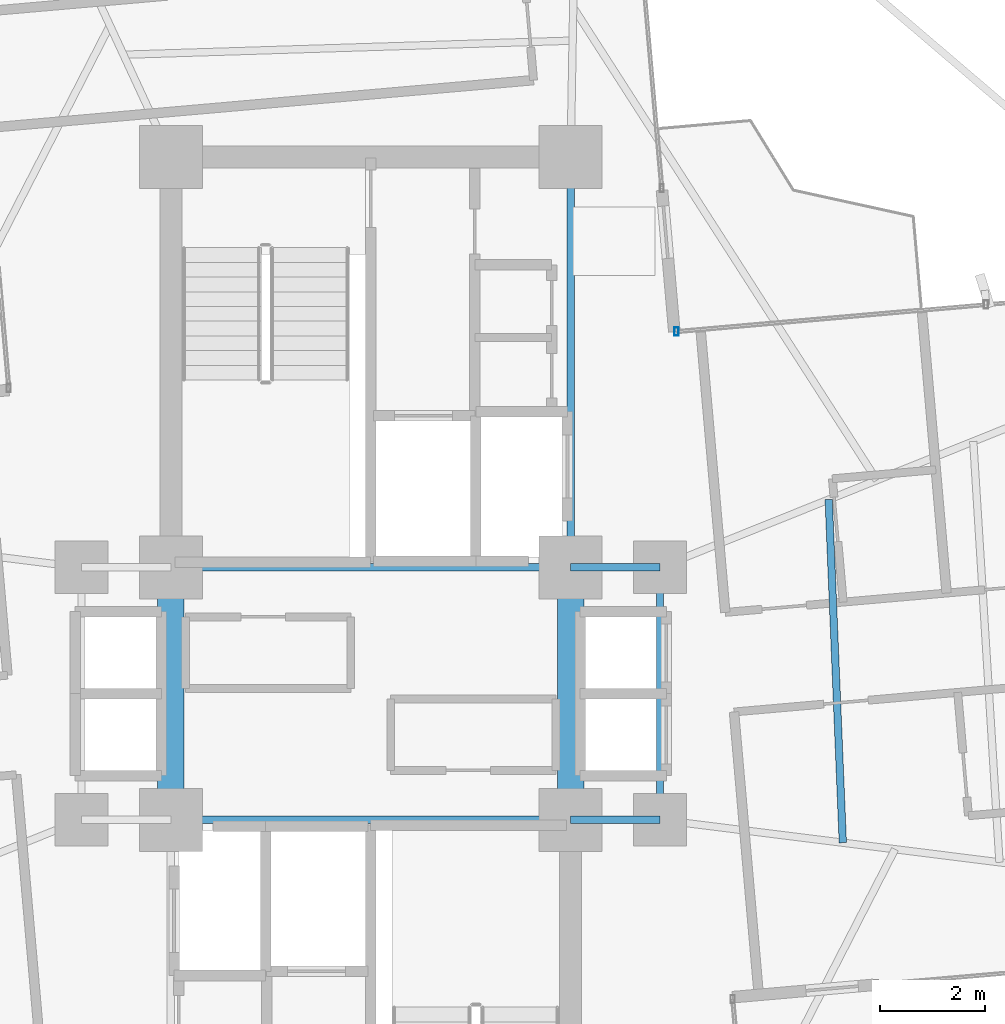
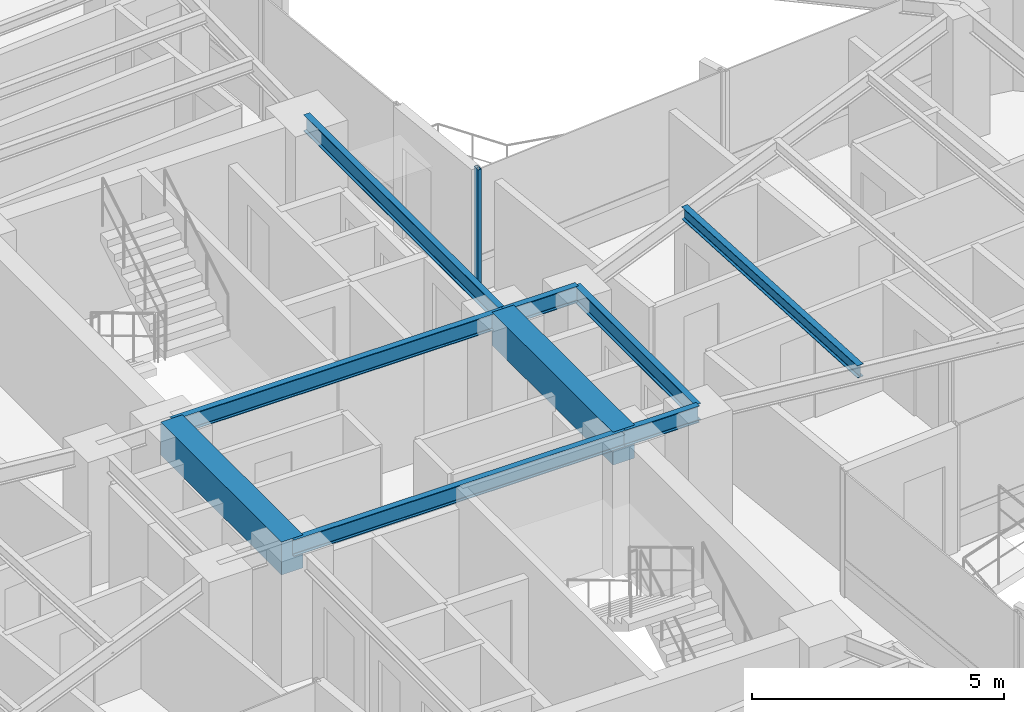
# One storey, part 11 of 24: 9 beams, 1 member, 1 element without a shape of its own.
"""IFC4 building model written with IfcOpenShell, lengths in metres."""

import ifcopenshell
import ifcopenshell.guid

model = None  # the IFC model being written
_history = None  # IfcOwnerHistory: only IFC2X3 demands one
_inside = {}  # id of a spatial element -> (the spatial element, [elements in it])
_under = {}  # id of a project, library or spatial element -> (it, [spatial elements below it])
_declared = {}  # id of a project -> (the project, [libraries it declares])
_typed = {}  # id of a type object -> (the type object, [elements of that type])
_made_of = {}  # id of a material, layer set ... -> (it, [elements and type objects made of it])


def new_model(schema):
    """Start an empty IFC model of exactly this schema.

    Asked for "IFC4X3", IfcOpenShell would pick the latest addendum, in which some entities
    have other attributes; the version numbers below select the first issue.
    IFC2X3 requires an IfcOwnerHistory on every rooted entity: one is made here for all.
    """
    global model, _history
    if schema == "IFC4X3":
        model = ifcopenshell.file(schema_version=(4, 3, 0, 0))
    else:
        model = ifcopenshell.file(schema=schema)
    _inside.clear()
    _under.clear()
    _declared.clear()
    _typed.clear()
    _made_of.clear()
    _history = None
    if model.schema == "IFC2X3":
        org = make("IfcOrganization", Name="unknown")
        user = make(
            "IfcPersonAndOrganization",
            ThePerson=make("IfcPerson", FamilyName="unknown"),
            TheOrganization=org,
        )
        app = make(
            "IfcApplication",
            ApplicationDeveloper=org,
            Version="unknown",
            ApplicationFullName="unknown",
            ApplicationIdentifier="unknown",
        )
        _history = make(
            "IfcOwnerHistory",
            OwningUser=user,
            OwningApplication=app,
            ChangeAction="ADDED",
            CreationDate=0,
        )
    return model


def make(cls, **values):
    """One entity of the class cls with the attributes given. An attribute that is None is left unset."""
    return model.create_entity(
        cls, **{name: value for name, value in values.items() if value is not None}
    )


def rooted(cls, **values):
    """An entity with a GlobalId (a new one), such as an element, a storey or a relation."""
    return make(cls, GlobalId=ifcopenshell.guid.new(), OwnerHistory=_history, **values)


def si_unit(unit_type, name, prefix=None):
    """IfcSIUnit, for example si_unit("LENGTHUNIT", "METRE", prefix="MILLI")."""
    return make("IfcSIUnit", UnitType=unit_type, Prefix=prefix, Name=name)


def assignment(units):
    """IfcUnitAssignment: the units of a project."""
    return None if units is None else make("IfcUnitAssignment", Units=units)


def point(xyz):
    """IfcCartesianPoint."""
    return None if xyz is None else make("IfcCartesianPoint", Coordinates=xyz)


def direction(xyz):
    """IfcDirection."""
    return None if xyz is None else make("IfcDirection", DirectionRatios=xyz)


def frame(location, z_axis=None, x_axis=None):
    """IfcAxis2Placement3D, a coordinate frame: its origin and axes. An axis left out is left unset."""
    return make(
        "IfcAxis2Placement3D",
        Location=point(location),
        Axis=direction(z_axis),
        RefDirection=direction(x_axis),
    )


def frame_2d(location, x_axis=None):
    """IfcAxis2Placement2D, a coordinate frame in the plane: its origin and x axis."""
    return make(
        "IfcAxis2Placement2D", Location=point(location), RefDirection=direction(x_axis)
    )


def origin():
    """The frame at (0, 0, 0) with its axes left unset."""
    return frame((0.0, 0.0, 0.0))


def origin_2d():
    """The frame at (0, 0) in the plane with its x axis left unset."""
    return frame_2d((0.0, 0.0))


def place(relative_to, where):
    """IfcLocalPlacement: puts the frame where relative to a parent placement (None: the world)."""
    return make(
        "IfcLocalPlacement", PlacementRelTo=relative_to, RelativePlacement=where
    )


def context(
    kind, dimensions, precision=None, world=None, true_north=None, identifier=None
):
    """IfcGeometricRepresentationContext, for example the 3D "Model" context."""
    return make(
        "IfcGeometricRepresentationContext",
        ContextIdentifier=identifier,
        ContextType=kind,
        CoordinateSpaceDimension=dimensions,
        Precision=precision,
        WorldCoordinateSystem=world,
        TrueNorth=true_north,
    )


def subcontext(parent, identifier, kind, view, scale=None):
    """IfcGeometricRepresentationSubContext, for example "Body" below "Model"."""
    return make(
        "IfcGeometricRepresentationSubContext",
        ContextIdentifier=identifier,
        ContextType=kind,
        ParentContext=parent,
        TargetScale=scale,
        TargetView=view,
    )


def project(units=None, contexts=None):
    """IfcProject with its units and contexts."""
    return rooted(
        "IfcProject",
        Name="project",
        RepresentationContexts=contexts,
        UnitsInContext=assignment(units),
    )


def spatial(cls, under=None, at=None, **own):
    """A site, building, storey or space (cls), placed at a placement, below another one or the project."""
    s = rooted(cls, ObjectPlacement=at, **own)
    if under is not None:
        _under.setdefault(under.id(), (under, []))[1].append(s)
    return s


def profile(cls, at=None, kind="AREA", **sizes):
    """A parametric profile (cls). Its sizes go by their IFC names, for example OverallWidth=200.0."""
    return make(cls, ProfileType=kind, Position=at, **sizes)


def rectangle(**sizes):
    """IfcRectangleProfileDef."""
    return profile("IfcRectangleProfileDef", **sizes)


def hollow_rectangle(**sizes):
    """IfcRectangleHollowProfileDef."""
    return profile("IfcRectangleHollowProfileDef", **sizes)


def i_section(**sizes):
    """IfcIShapeProfileDef."""
    return profile("IfcIShapeProfileDef", **sizes)


def extrude(swept, where, along, depth):
    """IfcExtrudedAreaSolid: the profile swept, set in the frame where, extruded along a direction by depth."""
    return make(
        "IfcExtrudedAreaSolid",
        SweptArea=swept,
        Position=where,
        ExtrudedDirection=direction(along),
        Depth=depth,
    )


def shape(context_of_items, identifier, shape_type, items):
    """IfcShapeRepresentation: the items that make up one representation, for example the "Body"."""
    return make(
        "IfcShapeRepresentation",
        ContextOfItems=context_of_items,
        RepresentationIdentifier=identifier,
        RepresentationType=shape_type,
        Items=items,
    )


def source(mapping_origin, context_of_items, identifier, shape_type, items):
    """IfcRepresentationMap: a shape defined once, which mapped items show again and again."""
    return make(
        "IfcRepresentationMap",
        MappingOrigin=mapping_origin,
        MappedRepresentation=shape(context_of_items, identifier, shape_type, items),
    )


def transform(
    local_origin,
    x_axis=None,
    y_axis=None,
    z_axis=None,
    scale=None,
    scale2=None,
    scale3=None,
    uniform=True,
):
    """IfcCartesianTransformationOperator3D, or its non-uniform kind. x_axis, y_axis, z_axis: its Axis1, 2, 3."""
    if uniform:
        return make(
            "IfcCartesianTransformationOperator3D",
            Axis1=direction(x_axis),
            Axis2=direction(y_axis),
            LocalOrigin=point(local_origin),
            Scale=scale,
            Axis3=direction(z_axis),
        )
    return make(
        "IfcCartesianTransformationOperator3DnonUniform",
        Axis1=direction(x_axis),
        Axis2=direction(y_axis),
        LocalOrigin=point(local_origin),
        Scale=scale,
        Axis3=direction(z_axis),
        Scale2=scale2,
        Scale3=scale3,
    )


def mapped(mapping_source, mapping_target):
    """IfcMappedItem: shows the shape of a source again, moved by a transform."""
    return make(
        "IfcMappedItem", MappingSource=mapping_source, MappingTarget=mapping_target
    )


def material(Name=None, Category=None):
    """IfcMaterial."""
    return make("IfcMaterial", Name=Name, Category=Category)


def material_profile(
    of_material, cross_section, Name=None, Category=None, Priority=None
):
    """IfcMaterialProfile: a cross section and its material."""
    return make(
        "IfcMaterialProfile",
        Name=Name,
        Material=of_material,
        Profile=cross_section,
        Priority=Priority,
        Category=Category,
    )


def profile_set(profiles, Name=None, composite=None):
    """IfcMaterialProfileSet."""
    return make(
        "IfcMaterialProfileSet",
        Name=Name,
        MaterialProfiles=profiles,
        CompositeProfile=composite,
    )


def made_of(thing, what):
    """Note that an element or type object is made of a material, layer set ...; save() writes the relation."""
    if what is not None:
        _made_of.setdefault(what.id(), (what, []))[1].append(thing)
    return thing


def type_object(cls, material=None, **own):
    """A type object (cls), such as IfcWallType, which elements share."""
    return made_of(rooted(cls, **own), material)


def element(
    cls,
    number,
    at=None,
    inside=None,
    cuts=None,
    type_object=None,
    material=None,
    context=None,
    identifier="Body",
    shape_type=None,
    held_by="IfcProductDefinitionShape",
    body=None,
    shapes=None,
    **own,
):
    """One element of the class cls, such as IfcWall. Its Tag is "e" and its number.

    at: its placement. inside: the storey or other place that contains it. cuts: it is an
    opening in that element (IfcRelVoidsElement). A single representation is given by context,
    identifier, shape_type and body (its items); several are given by shapes. held_by: the class
    of the entity that holds the representations. save() writes the other relations.
    """
    e = rooted(cls, Tag="e%d" % number, ObjectPlacement=at, **own)
    if body is not None:
        shapes = [shape(context, identifier, shape_type, body)]
    if shapes is not None:
        e.Representation = make(held_by, Representations=shapes)
    if inside is not None:
        _inside.setdefault(inside.id(), (inside, []))[1].append(e)
    if cuts is not None:
        rooted(
            "IfcRelVoidsElement", RelatingBuildingElement=cuts, RelatedOpeningElement=e
        )
    if type_object is not None:
        _typed.setdefault(type_object.id(), (type_object, []))[1].append(e)
    return made_of(e, material)


def aggregate(whole, parts):
    """IfcRelAggregates: a whole, such as a stair, and the parts it consists of."""
    return rooted("IfcRelAggregates", RelatingObject=whole, RelatedObjects=parts)


def save(model, path):
    """Write the relations noted so far, then the file.

    IfcRelAggregates (storeys below a building ...), IfcRelContainedInSpatialStructure (elements
    in a storey), IfcRelDefinesByType, IfcRelAssociatesMaterial and IfcRelDeclares: one each for
    every whole, place, type object, material and project.
    """
    for whole, parts in _under.values():
        aggregate(whole, parts)
    for where, things in _inside.values():
        rooted(
            "IfcRelContainedInSpatialStructure",
            RelatedElements=things,
            RelatingStructure=where,
        )
    for kind, things in _typed.values():
        rooted("IfcRelDefinesByType", RelatedObjects=things, RelatingType=kind)
    for what, things in _made_of.values():
        rooted("IfcRelAssociatesMaterial", RelatedObjects=things, RelatingMaterial=what)
    for by, libraries in _declared.values():
        rooted("IfcRelDeclares", RelatingContext=by, RelatedDefinitions=libraries)
    model.write(path)


model = new_model("IFC4")

# Units and contexts
model_context = context("Model", 3, precision=1e-05, world=origin(), true_north=direction((0.0, 1.0)))
body_context = subcontext(model_context, "Body", "Model", "MODEL_VIEW")
ifc_project = project(units=[si_unit("LENGTHUNIT", "METRE"), si_unit("AREAUNIT", "SQUARE_METRE"), si_unit("VOLUMEUNIT", "CUBIC_METRE"), si_unit("PLANEANGLEUNIT", "RADIAN"), si_unit("MASSUNIT", "GRAM", prefix="KILO")], contexts=[model_context])

# Site, building, storey
site_placement = place(None, origin())
site = spatial("IfcSite", under=ifc_project, at=site_placement, CompositionType="ELEMENT")
building_placement = place(site_placement, origin())
building = spatial("IfcBuilding", under=site, at=building_placement, Name="Sahyath Konkavel Grand Hotel", CompositionType="ELEMENT")
storey_placement = place(building_placement, frame((0.0, 0.0, 167.35009765625)))
storey = spatial("IfcBuildingStorey", under=building, at=storey_placement, Name="L46", CompositionType="ELEMENT", Elevation=167.35009765625)

# Beams
ifc_material_1 = material(Name="Steel E350", Category="steel")
ifc_material_profile_1 = material_profile(ifc_material_1, i_section(OverallWidth=0.139892578125, OverallDepth=0.39990234375, WebThickness=0.0087890625, FlangeThickness=0.01611328125, FilletRadius=0.013916015625, at=origin_2d()), Name="ISMB 400")
ifc_profile_set_1 = profile_set([ifc_material_profile_1], Name="Steel E350")
beam_type_1 = type_object("IfcBeamType", Name="BM-ISMB400", PredefinedType="BEAM", material=ifc_profile_set_1)
shared_shape_1 = source(origin(), body_context, "Body", "SweptSolid", [
    extrude(i_section(OverallWidth=0.139892578125, OverallDepth=0.39990234375, WebThickness=0.0087890625, FlangeThickness=0.01611328125, FilletRadius=0.013916015625, at=origin_2d()), origin(), (0.0, 0.0, 1.0), 7.60009765625),
])
for number, where, z_axis, x_axis, name in (
    (1, (-3.800048828125, 2.39990234375, 2.849853515625), (1.0, 0.0, 0.0), (0.0, 1.0, 0.0), "str:bm:L46:NC-S"),
    (2, (-3.800048828125, -2.39990234375, 2.849853515625), (1.0, 0.0, 0.0), (0.0, 1.0, 0.0), "str:bm:L46:SC-N"),
):
    element("IfcBeam", number, at=place(storey_placement, frame(where, z_axis=z_axis, x_axis=x_axis)), inside=storey, type_object=beam_type_1, Name=name, PredefinedType="BEAM", context=body_context, shape_type="MappedRepresentation", body=[
        mapped(shared_shape_1, transform((0.0, 0.0, 0.0), scale=1.0)),
    ])
shared_shape_2 = source(origin(), body_context, "Body", "SweptSolid", [
    extrude(i_section(OverallWidth=0.139892578125, OverallDepth=0.39990234375, WebThickness=0.0087890625, FlangeThickness=0.01611328125, FilletRadius=0.013916015625, at=origin_2d()), origin(), (0.0, 0.0, 1.0), 7.800048828125),
])
beam_1_placement = place(storey_placement, frame((3.800048828125, 2.39990234375, 2.849853515625), z_axis=(0.0, 1.0, 0.0), x_axis=(-1.0, 0.0, 0.0)))
element("IfcBeam", 3, at=beam_1_placement, inside=storey, type_object=beam_type_1, Name="str:bm:L46:NC-E", PredefinedType="BEAM", context=body_context, shape_type="MappedRepresentation", body=[
    mapped(shared_shape_2, transform((0.0, 0.0, 0.0), scale=1.0)),
])
shared_shape_3 = source(origin(), body_context, "Body", "SweptSolid", [
    extrude(i_section(OverallWidth=0.139892578125, OverallDepth=0.39990234375, WebThickness=0.0087890625, FlangeThickness=0.01611328125, FilletRadius=0.013916015625, at=origin_2d()), origin(), (0.0, 0.0, 1.0), 1.699951171875),
])
for number, where, z_axis, x_axis, name in (
    (4, (3.800048828125, 2.39990234375, 2.849853515625), (1.0, 0.0, 0.0), (0.0, 1.0, 0.0), "str:bm:L46:HB-NE"),
    (5, (3.800048828125, -2.39990234375, 2.849853515625), (1.0, 0.0, 0.0), (0.0, 1.0, 0.0), "str:bm:L46:HB-SE"),
):
    element("IfcBeam", number, at=place(storey_placement, frame(where, z_axis=z_axis, x_axis=x_axis)), inside=storey, type_object=beam_type_1, Name=name, PredefinedType="BEAM", context=body_context, shape_type="MappedRepresentation", body=[
        mapped(shared_shape_3, transform((0.0, 0.0, 0.0), scale=1.0)),
    ])
shared_shape_4 = source(origin(), body_context, "Body", "SweptSolid", [
    extrude(i_section(OverallWidth=0.139892578125, OverallDepth=0.39990234375, WebThickness=0.0087890625, FlangeThickness=0.01611328125, FilletRadius=0.013916015625, at=origin_2d()), origin(), (0.0, 0.0, 1.0), 4.7998046875),
])
beam_2_placement = place(storey_placement, frame((5.5, -2.39990234375, 2.849853515625), z_axis=(0.0, 1.0, 0.0), x_axis=(-1.0, 0.0, 0.0)))
element("IfcBeam", 6, at=beam_2_placement, inside=storey, type_object=beam_type_1, Name="str:bm:L46:HB-E", PredefinedType="BEAM", context=body_context, shape_type="MappedRepresentation", body=[
    mapped(shared_shape_4, transform((0.0, 0.0, 0.0), scale=1.0)),
])
ifc_material_2 = material(Name="Concrete C50/60", Category="concrete")
ifc_material_profile_2 = material_profile(ifc_material_2, rectangle(XDim=0.5, YDim=0.800048828125, at=origin_2d()), Name="RC 500x800")
ifc_profile_set_2 = profile_set([ifc_material_profile_2], Name="Concrete C50/60")
beam_type_2 = type_object("IfcBeamType", Name="BM-CB500x800", PredefinedType="LINTEL", material=ifc_profile_set_2)
shared_shape_5 = source(origin(), body_context, "Body", "SweptSolid", [
    extrude(rectangle(XDim=0.5, YDim=0.800048828125, at=origin_2d()), origin(), (0.0, 0.0, 1.0), 4.7998046875),
])
for number, where, z_axis, x_axis, name in (
    (7, (-3.800048828125, -2.39990234375, 2.64990234375), (0.0, 1.0, 0.0), (-1.0, 0.0, 0.0), "L46 Split-Core Coupling Beam West"),
    (8, (3.800048828125, -2.39990234375, 2.64990234375), (0.0, 1.0, 0.0), (-1.0, 0.0, 0.0), "L46 Split-Core Coupling Beam East"),
):
    element("IfcBeam", number, at=place(storey_placement, frame(where, z_axis=z_axis, x_axis=x_axis)), inside=storey, type_object=beam_type_2, Name=name, PredefinedType="LINTEL", context=body_context, shape_type="MappedRepresentation", body=[
        mapped(shared_shape_5, transform((0.0, 0.0, 0.0), scale=1.0)),
    ])
ifc_material_profile_3 = material_profile(ifc_material_1, i_section(OverallWidth=0.139892578125, OverallDepth=0.300048828125, WebThickness=0.0078125, FlangeThickness=0.01318359375, FilletRadius=0.013916015625, at=origin_2d()), Name="ISMB 300")
ifc_profile_set_3 = profile_set([ifc_material_profile_3], Name="Steel E350")
beam_type_3 = type_object("IfcBeamType", Name="BM-ISMB300", PredefinedType="BEAM", material=ifc_profile_set_3)
shared_shape_6 = source(origin(), body_context, "Body", "SweptSolid", [
    extrude(i_section(OverallWidth=0.139892578125, OverallDepth=0.300048828125, WebThickness=0.0078125, FlangeThickness=0.01318359375, FilletRadius=0.013916015625, at=origin_2d()), origin(), (0.0, 0.0, 1.0), 6.530029296875),
])
beam_3_placement = place(storey_placement, frame((8.9755859375, -2.835205078125, 2.89990234375), z_axis=(-0.04112667768, 0.999153940283, 0.0), x_axis=(-0.999153940283, -0.04112667768, 0.0)))
element("IfcBeam", 9, at=beam_3_placement, inside=storey, type_object=beam_type_3, Name="L46 Secondary Floor Beam E-1", PredefinedType="BEAM", context=body_context, shape_type="MappedRepresentation", body=[
    mapped(shared_shape_6, transform((0.0, 0.0, 0.0), scale=1.0)),
])

# Curtain wall, member
ifc_material_3 = material(Name="Anodised Bronze Aluminium & Low-E Glazing", Category="aluminium")
curtain_wall_type = type_object("IfcCurtainWallType", Name="CW-ZONE3", PredefinedType="NOTDEFINED", material=ifc_material_3)
curtain_wall_placement = place(storey_placement, origin())
curtain_wall = element("IfcCurtainWall", 10, at=curtain_wall_placement, inside=storey, type_object=curtain_wall_type, Name="L46 Unitised Curtain Wall F7", PredefinedType="NOTDEFINED")
ifc_material_4 = material(Name="Anodised Bronze Aluminium", Category="aluminium")
ifc_material_profile_4 = material_profile(ifc_material_4, hollow_rectangle(XDim=0.080078125, YDim=0.159912109375, WallThickness=0.006103515625, at=origin_2d()), Name="RHS 160x80x6")
ifc_profile_set_4 = profile_set([ifc_material_profile_4], Name="Anodised Bronze Aluminium")
member_type = type_object("IfcMemberType", Name="CW-MUL-160", PredefinedType="MULLION", material=ifc_profile_set_4)
shared_shape_7 = source(origin(), body_context, "Body", "SweptSolid", [
    extrude(hollow_rectangle(XDim=0.080078125, YDim=0.159912109375, WallThickness=0.006103515625, at=origin_2d()), origin(), (0.0, 0.0, 1.0), 3.0498046875),
])
member_placement = place(storey_placement, frame((5.812255859375, 6.8828125, 0.0), z_axis=(0.0, 0.0, 1.0), x_axis=(1.0, 0.0, 0.0)))
member = element("IfcMember", 11, at=member_placement, type_object=member_type, Name="L46 Curtain Wall Mullion F7-2", PredefinedType="MULLION", context=body_context, shape_type="MappedRepresentation", body=[
    mapped(shared_shape_7, transform((0.0, 0.0, 0.0), scale=1.0)),
])
aggregate(curtain_wall, [member])

save(model, "model.ifc")
